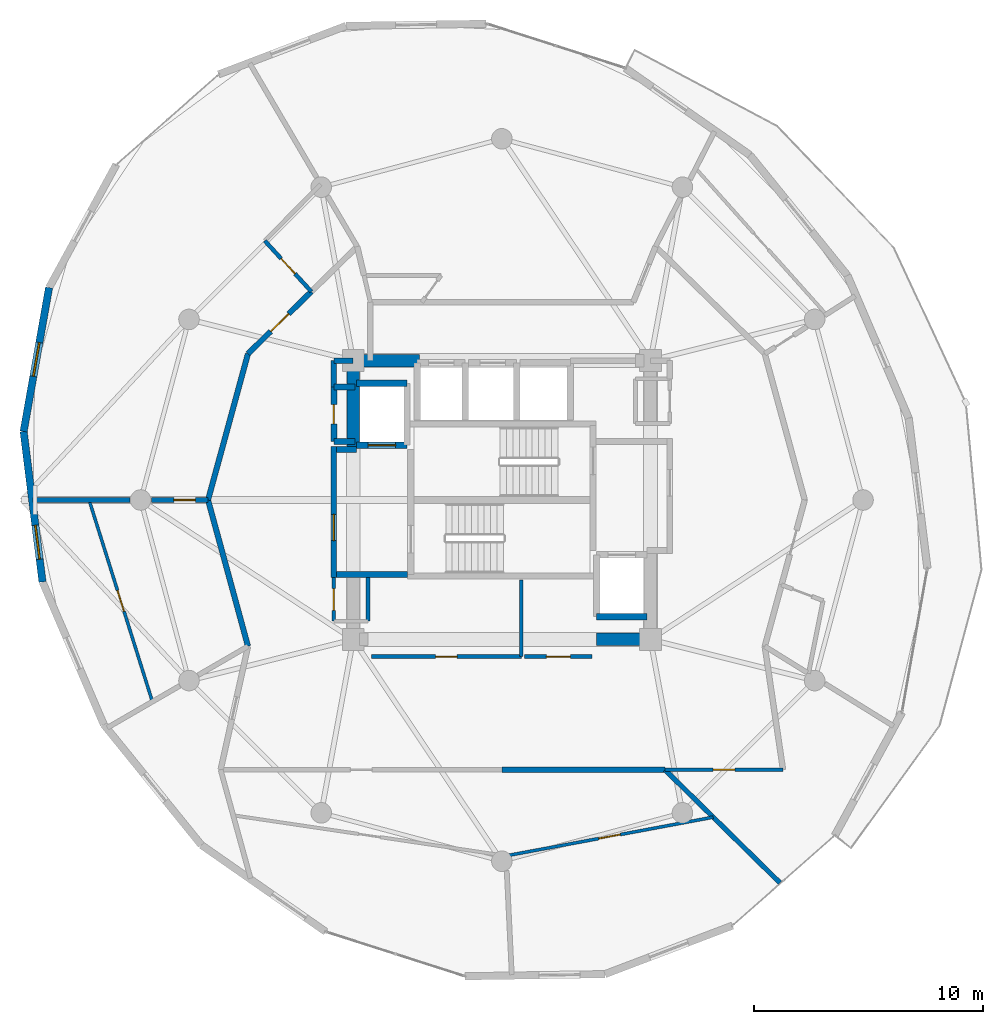
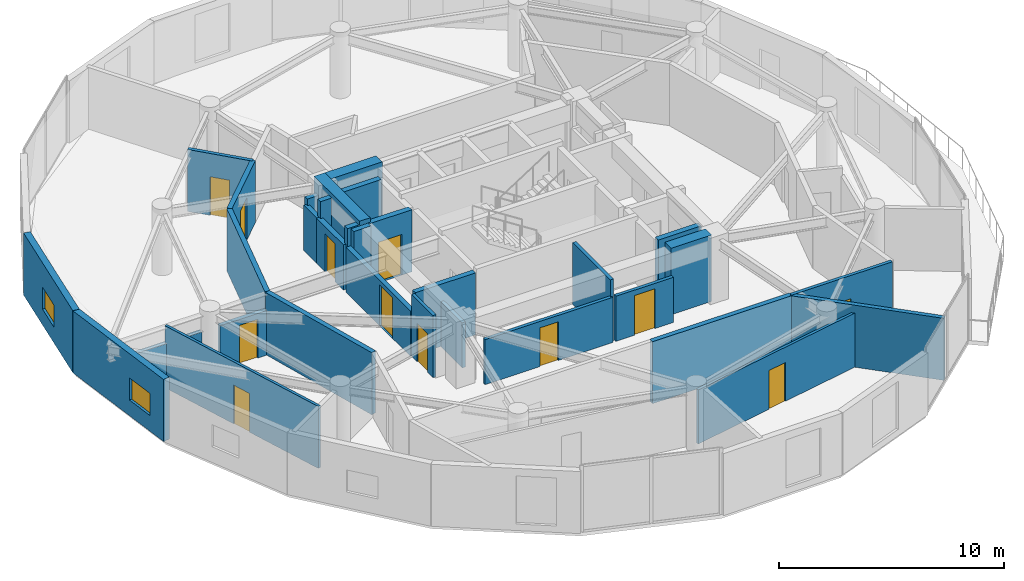
# One storey, part 13 of 18: 32 walls, 12 doors, 2 windows, 14 openings.
"""IFC4 building model written with IfcOpenShell, lengths in metres."""

from ifc_helpers import new_model, si_unit, direction, frame, frame_2d, origin, place, context, subcontext, project, spatial, rectangle, extrude, material, layer, layer_set, type_object, element, fill, save


model = new_model("IFC4")

# Units and contexts
model_context = context("Model", 3, precision=1e-05, world=origin(), true_north=direction((0.0, 1.0)))
body_context = subcontext(model_context, "Body", "Model", "MODEL_VIEW")
ifc_project = project(units=[si_unit("LENGTHUNIT", "METRE"), si_unit("AREAUNIT", "SQUARE_METRE"), si_unit("VOLUMEUNIT", "CUBIC_METRE"), si_unit("PLANEANGLEUNIT", "RADIAN"), si_unit("MASSUNIT", "GRAM", prefix="KILO")], contexts=[model_context])

# Site, building, storey
site_placement = place(None, origin())
site = spatial("IfcSite", under=ifc_project, at=site_placement, CompositionType="ELEMENT")
building_placement = place(site_placement, origin())
building = spatial("IfcBuilding", under=site, at=building_placement, Name="Solvirekh Grand Hotel", CompositionType="ELEMENT")
storey_placement = place(building_placement, frame((0.0, 0.0, 187.60009765625)))
storey = spatial("IfcBuildingStorey", under=building, at=storey_placement, Name="L48", CompositionType="ELEMENT", Elevation=187.60009765625)

# Wall, opening, door
ifc_material_1 = material(Name="Concrete C40/50", Category="concrete")
ifc_layer_1 = layer(ifc_material_1, 0.280029296875)
ifc_layer_set_1 = layer_set([ifc_layer_1], Name="Concrete C40/50")
wall_type_1 = type_object("IfcWallType", Name="CoreShaftWall_RC280", PredefinedType="SOLIDWALL", material=ifc_layer_set_1)
wall_1_placement = place(storey_placement, frame((-6.35009765625, 2.39990234375, 0.0), z_axis=(0.0, 0.0, 1.0), x_axis=(1.0, 0.0, 0.0)))
wall_1 = element("IfcWall", 1, at=wall_1_placement, inside=storey, type_object=wall_type_1, Name="L48 FL-1 hoistway S wall", PredefinedType="SOLIDWALL", context=body_context, shape_type="SweptSolid", body=[
    extrude(rectangle(XDim=2.2001953125, YDim=0.280029296875, at=frame_2d((1.10009765625, 0.0))), origin(), (0.0, 0.0, 1.0), 3.35986328125),
])
opening_1_placement = place(wall_1_placement, frame((0.5, 0.0, 0.0)))
opening_1 = element("IfcOpeningElement", 2, at=opening_1_placement, cuts=wall_1, Name="Opening LD02", PredefinedType="OPENING", context=body_context, shape_type="SweptSolid", body=[
    extrude(rectangle(XDim=1.199951171875, YDim=2.199951171875, at=frame_2d((0.60009765625, 1.10009765625))), frame((0.0, 0.14990234375, 0.0), z_axis=(0.0, -1.0, 0.0), x_axis=(1.0, 0.0, 0.0)), (0.0, 0.0, 1.0), 0.300048828125),
])
ifc_material_2 = material(Name="Fire-Rated Steel Door Assembly", Category="steel")
door_type_1 = type_object("IfcDoorType", Name="Door_LiftFF_1200X2200", OperationType="SLIDING_TO_LEFT", PredefinedType="DOOR", material=ifc_material_2)
door_1_placement = place(opening_1_placement, origin())
door_1 = element("IfcDoor", 3, at=door_1_placement, inside=storey, type_object=door_type_1, Name="L48 FL-1 sliding lift landing door", OperationType="SLIDING_TO_LEFT", OverallHeight=2.199951171875, OverallWidth=1.199951171875, PredefinedType="DOOR", context=body_context, shape_type="SweptSolid", body=[
    extrude(rectangle(XDim=1.199951171875, YDim=2.199951171875, at=frame_2d((0.60009765625, 1.10009765625))), frame((0.0, 0.02490234375, 0.0), z_axis=(0.0, -1.0, 0.0), x_axis=(1.0, 0.0, 0.0)), (0.0, 0.0, 1.0), 0.050048828125),
])
fill(opening_1, door_1)

# Walls
for number, where, z_axis, x_axis, name in (
    (4, (-4.14990234375, 5.10009765625, 0.0), (0.0, 0.0, 1.0), (-1.0, 0.0, 0.0), "L48 FL-1 hoistway N wall"),
    (5, (4.14990234375, -5.10009765625, 0.0), (0.0, 0.0, 1.0), (1.0, 0.0, 0.0), "L48 FL-2 hoistway S wall"),
):
    element("IfcWall", number, at=place(storey_placement, frame(where, z_axis=z_axis, x_axis=x_axis)), inside=storey, type_object=wall_type_1, Name=name, PredefinedType="SOLIDWALL", context=body_context, shape_type="SweptSolid", body=[
        extrude(rectangle(XDim=2.2001953125, YDim=0.280029296875, at=frame_2d((1.10009765625, 0.0))), origin(), (0.0, 0.0, 1.0), 3.35986328125),
    ])
ifc_material_3 = material(Name="Concrete C50/60", Category="concrete")
ifc_layer_2 = layer(ifc_material_3, 0.550048828125)
ifc_layer_set_2 = layer_set([ifc_layer_2], Name="Concrete C50/60")
wall_type_2 = type_object("IfcWallType", Name="CoreWall_RC550", PredefinedType="SHEAR", material=ifc_layer_set_2)
wall_2_placement = place(storey_placement, frame((4.14990234375, -6.10009765625, 0.0), z_axis=(0.0, 0.0, 1.0), x_axis=(1.0, 0.0, 0.0)))
element("IfcWall", 6, at=wall_2_placement, inside=storey, type_object=wall_type_2, Name="L48 core corner shear wall SE-S", PredefinedType="SHEAR", context=body_context, shape_type="SweptSolid", body=[
    extrude(rectangle(XDim=2.0751953125, YDim=0.550048828125, at=frame_2d((1.03759765625, 0.0))), origin(), (0.0, 0.0, 1.0), 3.599853515625),
])
wall_3_placement = place(storey_placement, frame((-6.22509765625, 6.10009765625, 0.0), z_axis=(0.0, 0.0, 1.0), x_axis=(1.0, 0.0, 0.0)))
element("IfcWall", 7, at=wall_3_placement, inside=storey, type_object=wall_type_2, Name="L48 core corner shear wall NW-N", PredefinedType="SHEAR", context=body_context, shape_type="SweptSolid", body=[
    extrude(rectangle(XDim=2.625, YDim=0.550048828125, at=frame_2d((1.3125, 0.0))), origin(), (0.0, 0.0, 1.0), 3.599853515625),
])
wall_4_placement = place(storey_placement, frame((-6.5, 2.35009765625, 0.0), z_axis=(0.0, 0.0, 1.0), x_axis=(0.0, 1.0, 0.0)))
element("IfcWall", 8, at=wall_4_placement, inside=storey, type_object=wall_type_2, Name="L48 core corner shear wall WN-W", PredefinedType="SHEAR", context=body_context, shape_type="SweptSolid", body=[
    extrude(rectangle(XDim=4.02490234375, YDim=0.550048828125, at=frame_2d((2.012451171875, 0.0))), origin(), (0.0, 0.0, 1.0), 3.599853515625),
])

# Wall, opening, window
ifc_material_4 = material(Name="Precast concrete C45/55", Category="concrete")
ifc_layer_3 = layer(ifc_material_4, 0.320068359375)
ifc_layer_set_3 = layer_set([ifc_layer_3], Name="Precast concrete C45/55")
wall_type_3 = type_object("IfcWallType", Name="ExtLobbyWall_RC320", PredefinedType="SOLIDWALL", material=ifc_layer_set_3)
wall_5_placement = place(storey_placement, frame((-20.9169921875, 3.0, 0.0), z_axis=(0.0, 0.0, 1.0), x_axis=(0.174044717196, 0.984737750072, 0.0)))
wall_5 = element("IfcWall", 9, at=wall_5_placement, inside=storey, type_object=wall_type_3, Name="L48 cantilevered deck support wall chord 13", PredefinedType="SOLIDWALL", context=body_context, shape_type="SweptSolid", body=[
    extrude(rectangle(XDim=6.389404296875, YDim=0.320068359375, at=frame_2d((3.19482421875, 0.0))), origin(), (0.0, 0.0, 1.0), 3.35986328125),
])
opening_2_placement = place(wall_5_placement, frame((2.445068359375, 0.0, 0.85009765625)))
opening_2 = element("IfcOpeningElement", 10, at=opening_2_placement, cuts=wall_5, Name="Opening W05", PredefinedType="OPENING", context=body_context, shape_type="SweptSolid", body=[
    extrude(rectangle(XDim=1.5, YDim=1.199951171875, at=frame_2d((0.75, 0.60009765625))), frame((0.0, 0.169921875, 0.0), z_axis=(0.0, -1.0, 0.0), x_axis=(1.0, 0.0, 0.0)), (0.0, 0.0, 1.0), 0.340087890625),
])
ifc_material_5 = material(Name="Low-E Tinted Bronze Laminated Glass", Category="aluminium")
window_type = type_object("IfcWindowType", Name="Win_PlantVent_1500X1200", PartitioningType="SINGLE_PANEL", PredefinedType="WINDOW", material=ifc_material_5)
window_1_placement = place(opening_2_placement, origin())
window_1 = element("IfcWindow", 11, at=window_1_placement, inside=storey, type_object=window_type, Name="L48 bronze-framed vision ribbon window 13", OverallHeight=1.199951171875, OverallWidth=1.5, PartitioningType="SINGLE_PANEL", PredefinedType="WINDOW", context=body_context, shape_type="SweptSolid", body=[
    extrude(rectangle(XDim=1.5, YDim=1.199951171875, at=frame_2d((0.75, 0.60009765625))), frame((0.0, 0.030029296875, 0.0), z_axis=(0.0, -1.0, 0.0), x_axis=(1.0, 0.0, 0.0)), (0.0, 0.0, 1.0), 0.06005859375),
])
fill(opening_2, window_1)

wall_6_placement = place(storey_placement, frame((-20.093017578125, -3.5849609375, 0.0), z_axis=(0.0, 0.0, 1.0), x_axis=(-0.12416151274, 0.992262021219, 0.0)))
wall_6 = element("IfcWall", 12, at=wall_6_placement, inside=storey, type_object=wall_type_3, Name="L48 cantilevered deck support wall chord 14", PredefinedType="SOLIDWALL", context=body_context, shape_type="SweptSolid", body=[
    extrude(rectangle(XDim=6.63623046875, YDim=0.320068359375, at=frame_2d((3.318115234375, 0.0))), origin(), (0.0, 0.0, 1.0), 3.35986328125),
])
opening_3_placement = place(wall_6_placement, frame((1.00390625, 0.0, 0.85009765625)))
opening_3 = element("IfcOpeningElement", 13, at=opening_3_placement, cuts=wall_6, Name="Opening W05", PredefinedType="OPENING", context=body_context, shape_type="SweptSolid", body=[
    extrude(rectangle(XDim=1.5, YDim=1.199951171875, at=frame_2d((0.75, 0.60009765625))), frame((0.0, 0.169921875, 0.0), z_axis=(0.0, -1.0, 0.0), x_axis=(1.0, 0.0, 0.0)), (0.0, 0.0, 1.0), 0.340087890625),
])
window_2_placement = place(opening_3_placement, origin())
window_2 = element("IfcWindow", 14, at=window_2_placement, inside=storey, type_object=window_type, Name="L48 bronze-framed vision ribbon window 14", OverallHeight=1.199951171875, OverallWidth=1.5, PartitioningType="SINGLE_PANEL", PredefinedType="WINDOW", context=body_context, shape_type="SweptSolid", body=[
    extrude(rectangle(XDim=1.5, YDim=1.199951171875, at=frame_2d((0.75, 0.60009765625))), frame((0.0, 0.030029296875, 0.0), z_axis=(0.0, -1.0, 0.0), x_axis=(1.0, 0.0, 0.0)), (0.0, 0.0, 1.0), 0.06005859375),
])
fill(opening_3, window_2)

# Wall
ifc_material_6 = material(Name="Acoustic Gypsum Partition Assembly")
ifc_layer_4 = layer(ifc_material_6, 0.1650390625)
ifc_layer_set_4 = layer_set([ifc_layer_4], Name="Acoustic Gypsum Partition Assembly")
wall_type_4 = type_object("IfcWallType", Name="Part_BOH_165", PredefinedType="PARTITIONING", material=ifc_layer_set_4)
wall_7_placement = place(storey_placement, frame((-5.85009765625, -5.300048828125, 0.0), z_axis=(0.0, 0.0, 1.0), x_axis=(0.0, 1.0, 0.0)))
element("IfcWall", 15, at=wall_7_placement, inside=storey, type_object=wall_type_4, Name="L48 L48 Butler Service Closet wall 2", PredefinedType="PARTITIONING", context=body_context, shape_type="SweptSolid", body=[
    extrude(rectangle(XDim=1.900146484375, YDim=0.1650390625, at=frame_2d((0.9501953125, 0.0))), origin(), (0.0, 0.0, 1.0), 2.44482421875),
])

# Wall, opening, door
wall_8_placement = place(storey_placement, frame((-7.35009765625, -3.39990234375, 0.0), z_axis=(0.0, 0.0, 1.0), x_axis=(0.0, -1.0, 0.0)))
wall_8 = element("IfcWall", 16, at=wall_8_placement, inside=storey, type_object=wall_type_4, Name="L48 L48 Butler Service Closet wall 4", PredefinedType="PARTITIONING", context=body_context, shape_type="SweptSolid", body=[
    extrude(rectangle(XDim=1.900146484375, YDim=0.1650390625, at=frame_2d((0.9501953125, 0.0))), origin(), (0.0, 0.0, 1.0), 3.35986328125),
])
opening_4_placement = place(wall_8_placement, frame((0.47509765625, 0.0, 0.0)))
opening_4 = element("IfcOpeningElement", 17, at=opening_4_placement, cuts=wall_8, Name="Opening D10", PredefinedType="OPENING", context=body_context, shape_type="SweptSolid", body=[
    extrude(rectangle(XDim=0.949951171875, YDim=2.10009765625, at=frame_2d((0.47509765625, 1.050048828125))), frame((0.0, 0.092529296875, 0.0), z_axis=(0.0, -1.0, 0.0), x_axis=(1.0, 0.0, 0.0)), (0.0, 0.0, 1.0), 0.18505859375),
])
ifc_material_7 = material(Name="Anodized Bronze Aluminium 6063-T6", Category="aluminium")
door_type_2 = type_object("IfcDoorType", Name="Door_RoomInt_950X2100", OperationType="NOTDEFINED", PredefinedType="DOOR", material=ifc_material_7)
door_2_placement = place(opening_4_placement, origin())
door_2 = element("IfcDoor", 18, at=door_2_placement, inside=storey, type_object=door_type_2, Name="L48 L48 Butler Service Closet door", OperationType="SINGLE_SWING_LEFT", OverallHeight=2.10009765625, OverallWidth=0.949951171875, PredefinedType="DOOR", context=body_context, shape_type="SweptSolid", body=[
    extrude(rectangle(XDim=0.949951171875, YDim=2.10009765625, at=frame_2d((0.47509765625, 1.050048828125))), frame((0.0, 0.02490234375, 0.0), z_axis=(0.0, -1.0, 0.0), x_axis=(1.0, 0.0, 0.0)), (0.0, 0.0, 1.0), 0.050048828125),
])
fill(opening_4, door_2)

wall_9_placement = place(storey_placement, frame((-5.699951171875, -6.85009765625, 0.0), z_axis=(0.0, 0.0, 1.0), x_axis=(1.0, 0.0, 0.0)))
wall_9 = element("IfcWall", 19, at=wall_9_placement, inside=storey, type_object=wall_type_4, Name="L48 Housekeeping Linen Room wall 1", PredefinedType="PARTITIONING", context=body_context, shape_type="SweptSolid", body=[
    extrude(rectangle(XDim=6.550048828125, YDim=0.1650390625, at=frame_2d((3.27490234375, 0.0))), origin(), (0.0, 0.0, 1.0), 2.44482421875),
])
opening_5_placement = place(wall_9_placement, frame((2.800048828125, 0.0, 0.0)))
opening_5 = element("IfcOpeningElement", 20, at=opening_5_placement, cuts=wall_9, Name="Opening D10", PredefinedType="OPENING", context=body_context, shape_type="SweptSolid", body=[
    extrude(rectangle(XDim=0.949951171875, YDim=2.10009765625, at=frame_2d((0.47509765625, 1.050048828125))), frame((0.0, 0.092529296875, 0.0), z_axis=(0.0, -1.0, 0.0), x_axis=(1.0, 0.0, 0.0)), (0.0, 0.0, 1.0), 0.18505859375),
])
door_3_placement = place(opening_5_placement, origin())
door_3 = element("IfcDoor", 21, at=door_3_placement, inside=storey, type_object=door_type_2, Name="L48 Housekeeping Linen Room door", OperationType="SINGLE_SWING_LEFT", OverallHeight=2.10009765625, OverallWidth=0.949951171875, PredefinedType="DOOR", context=body_context, shape_type="SweptSolid", body=[
    extrude(rectangle(XDim=0.949951171875, YDim=2.10009765625, at=frame_2d((0.47509765625, 1.050048828125))), frame((0.0, 0.02490234375, 0.0), z_axis=(0.0, -1.0, 0.0), x_axis=(1.0, 0.0, 0.0)), (0.0, 0.0, 1.0), 0.050048828125),
])
fill(opening_5, door_3)

# Wall
wall_10_placement = place(storey_placement, frame((0.85009765625, -6.85009765625, 0.0), z_axis=(0.0, 0.0, 1.0), x_axis=(0.0, 1.0, 0.0)))
element("IfcWall", 22, at=wall_10_placement, inside=storey, type_object=wall_type_4, Name="L48 Housekeeping Linen Room wall 2", PredefinedType="PARTITIONING", context=body_context, shape_type="SweptSolid", body=[
    extrude(rectangle(XDim=3.35009765625, YDim=0.1650390625, at=frame_2d((1.675048828125, 0.0))), origin(), (0.0, 0.0, 1.0), 3.35986328125),
])

# Wall, opening, door
wall_11_placement = place(storey_placement, frame((1.0, -6.85009765625, 0.0), z_axis=(0.0, 0.0, 1.0), x_axis=(1.0, 0.0, 0.0)))
wall_11 = element("IfcWall", 23, at=wall_11_placement, inside=storey, type_object=wall_type_4, Name="L48 Chilled Water Manifold Room wall 1", PredefinedType="PARTITIONING", context=body_context, shape_type="SweptSolid", body=[
    extrude(rectangle(XDim=2.949951171875, YDim=0.1650390625, at=frame_2d((1.47509765625, 0.0))), origin(), (0.0, 0.0, 1.0), 2.44482421875),
])
opening_6_placement = place(wall_11_placement, frame((0.949951171875, 0.0, 0.0)))
opening_6 = element("IfcOpeningElement", 24, at=opening_6_placement, cuts=wall_11, Name="Opening D12", PredefinedType="OPENING", context=body_context, shape_type="SweptSolid", body=[
    extrude(rectangle(XDim=1.050048828125, YDim=2.14990234375, at=frame_2d((0.52490234375, 1.074951171875))), frame((0.0, 0.092529296875, 0.0), z_axis=(0.0, -1.0, 0.0), x_axis=(1.0, 0.0, 0.0)), (0.0, 0.0, 1.0), 0.18505859375),
])
door_type_3 = type_object("IfcDoorType", Name="Door_PlantBOH_1050X2150", OperationType="NOTDEFINED", PredefinedType="DOOR", material=ifc_material_2)
door_4_placement = place(opening_6_placement, origin())
door_4 = element("IfcDoor", 25, at=door_4_placement, inside=storey, type_object=door_type_3, Name="L48 Chilled Water Manifold Room door", OperationType="SINGLE_SWING_RIGHT", OverallHeight=2.14990234375, OverallWidth=1.050048828125, PredefinedType="DOOR", context=body_context, shape_type="SweptSolid", body=[
    extrude(rectangle(XDim=1.050048828125, YDim=2.14990234375, at=frame_2d((0.52490234375, 1.074951171875))), frame((0.0, 0.02490234375, 0.0), z_axis=(0.0, -1.0, 0.0), x_axis=(1.0, 0.0, 0.0)), (0.0, 0.0, 1.0), 0.050048828125),
])
fill(opening_6, door_4)

wall_12_placement = place(storey_placement, frame((7.134033203125, -11.800048828125, 0.0), z_axis=(0.0, 0.0, 1.0), x_axis=(1.0, 0.0, 0.0)))
wall_12 = element("IfcWall", 26, at=wall_12_placement, inside=storey, type_object=wall_type_4, Name="L48 L48 Butler Valet & Linen Steward Room entrance wall", PredefinedType="PARTITIONING", context=body_context, shape_type="SweptSolid", body=[
    extrude(rectangle(XDim=5.166015625, YDim=0.1650390625, at=frame_2d((2.5830078125, 0.0))), origin(), (0.0, 0.0, 1.0), 3.35986328125),
])
opening_7_placement = place(wall_12_placement, frame((2.10791015625, 0.0, 0.0)))
opening_7 = element("IfcOpeningElement", 27, at=opening_7_placement, cuts=wall_12, Name="Opening D10", PredefinedType="OPENING", context=body_context, shape_type="SweptSolid", body=[
    extrude(rectangle(XDim=0.949951171875, YDim=2.10009765625, at=frame_2d((0.47509765625, 1.050048828125))), frame((0.0, 0.092529296875, 0.0), z_axis=(0.0, -1.0, 0.0), x_axis=(1.0, 0.0, 0.0)), (0.0, 0.0, 1.0), 0.18505859375),
])
door_5_placement = place(opening_7_placement, origin())
door_5 = element("IfcDoor", 28, at=door_5_placement, inside=storey, type_object=door_type_2, Name="L48 L48 Butler Valet & Linen Steward Room entrance door", OperationType="SINGLE_SWING_LEFT", OverallHeight=2.10009765625, OverallWidth=0.949951171875, PredefinedType="DOOR", context=body_context, shape_type="SweptSolid", body=[
    extrude(rectangle(XDim=0.949951171875, YDim=2.10009765625, at=frame_2d((0.47509765625, 1.050048828125))), frame((0.0, 0.02490234375, 0.0), z_axis=(0.0, -1.0, 0.0), x_axis=(1.0, 0.0, 0.0)), (0.0, 0.0, 1.0), 0.050048828125),
])
fill(opening_7, door_5)

ifc_layer_5 = layer(ifc_material_6, 0.239990234375)
ifc_layer_set_5 = layer_set([ifc_layer_5], Name="Acoustic Gypsum Partition Assembly")
wall_type_5 = type_object("IfcWallType", Name="Part_Corridor_240", PredefinedType="PARTITIONING", material=ifc_layer_set_5)
wall_13_placement = place(storey_placement, frame((-7.35009765625, -3.3798828125, 0.0), z_axis=(0.0, 0.0, 1.0), x_axis=(0.0, 1.0, 0.0)))
wall_13 = element("IfcWall", 29, at=wall_13_placement, inside=storey, type_object=wall_type_5, Name="L48 west firefighting lobby smoke screen wall", PredefinedType="PARTITIONING", context=body_context, shape_type="SweptSolid", body=[
    extrude(rectangle(XDim=5.719970703125, YDim=0.239990234375, at=frame_2d((2.85986328125, 0.0))), origin(), (0.0, 0.0, 1.0), 2.44482421875),
])
opening_8_placement = place(wall_13_placement, frame((1.59912109375, 0.0, 0.0)))
opening_8 = element("IfcOpeningElement", 30, at=opening_8_placement, cuts=wall_13, Name="Opening D06", PredefinedType="OPENING", context=body_context, shape_type="SweptSolid", body=[
    extrude(rectangle(XDim=1.14990234375, YDim=2.199951171875, at=frame_2d((0.574951171875, 1.10009765625))), frame((0.0, 0.1298828125, 0.0), z_axis=(0.0, -1.0, 0.0), x_axis=(1.0, 0.0, 0.0)), (0.0, 0.0, 1.0), 0.260009765625),
])
door_type_4 = type_object("IfcDoorType", Name="Door_FFLobby_1150X2200", OperationType="NOTDEFINED", PredefinedType="DOOR", material=ifc_material_2)
door_6_placement = place(opening_8_placement, origin())
door_6 = element("IfcDoor", 31, at=door_6_placement, inside=storey, type_object=door_type_4, Name="L48 west firefighting lobby smoke door", OperationType="SINGLE_SWING_RIGHT", OverallHeight=2.199951171875, OverallWidth=1.14990234375, PredefinedType="DOOR", context=body_context, shape_type="SweptSolid", body=[
    extrude(rectangle(XDim=1.14990234375, YDim=2.199951171875, at=frame_2d((0.574951171875, 1.10009765625))), frame((0.0, 0.02490234375, 0.0), z_axis=(0.0, -1.0, 0.0), x_axis=(1.0, 0.0, 0.0)), (0.0, 0.0, 1.0), 0.050048828125),
])
fill(opening_8, door_6)

# Walls
wall_14_placement = place(storey_placement, frame((-7.35009765625, 4.949951171875, 0.0), z_axis=(0.0, 0.0, 1.0), x_axis=(0.0, 1.0, 0.0)))
element("IfcWall", 32, at=wall_14_placement, inside=storey, type_object=wall_type_5, Name="L48 NW core cheek closure wall", PredefinedType="PARTITIONING", context=body_context, shape_type="SweptSolid", body=[
    extrude(rectangle(XDim=1.150146484375, YDim=0.239990234375, at=frame_2d((0.5751953125, 0.0))), origin(), (0.0, 0.0, 1.0), 2.44482421875),
])
wall_15_placement = place(storey_placement, frame((-7.35009765625, 6.10009765625, 0.0), z_axis=(0.0, 0.0, 1.0), x_axis=(1.0, 0.0, 0.0)))
element("IfcWall", 33, at=wall_15_placement, inside=storey, type_object=wall_type_5, Name="L48 NW core corner tie wall", PredefinedType="PARTITIONING", context=body_context, shape_type="SweptSolid", body=[
    extrude(rectangle(XDim=0.85009765625, YDim=0.239990234375, at=frame_2d((0.425048828125, 0.0))), origin(), (0.0, 0.0, 1.0), 2.80078125),
])
wall_16_placement = place(storey_placement, frame((-11.10205078125, 6.39990234375, 0.0), z_axis=(0.0, 0.0, 1.0), x_axis=(-0.263484816116, -0.96466354325, 0.0)))
element("IfcWall", 34, at=wall_16_placement, inside=storey, type_object=wall_type_5, Name="L48 Diplomatic Suite 5002 Living Room corridor wall 1", PredefinedType="PARTITIONING", context=body_context, shape_type="SweptSolid", body=[
    extrude(rectangle(XDim=6.63427734375, YDim=0.239990234375, at=frame_2d((3.317138671875, 0.0))), origin(), (0.0, 0.0, 1.0), 3.35986328125),
])

# Wall, opening, door
wall_17_placement = place(storey_placement, frame((-8.3310546875, 9.116943359375, 0.0), z_axis=(0.0, 0.0, 1.0), x_axis=(-0.714024122855, -0.700121098084, 0.0)))
wall_17 = element("IfcWall", 35, at=wall_17_placement, inside=storey, type_object=wall_type_5, Name="L48 Diplomatic Suite 5002 Living Room entrance wall", PredefinedType="PARTITIONING", context=body_context, shape_type="SweptSolid", body=[
    extrude(rectangle(XDim=3.880859375, YDim=0.239990234375, at=frame_2d((1.9404296875, 0.0))), origin(), (0.0, 0.0, 1.0), 3.35986328125),
])
opening_9_placement = place(wall_17_placement, frame((1.389892578125, 0.0, 0.0)))
opening_9 = element("IfcOpeningElement", 36, at=opening_9_placement, cuts=wall_17, Name="Opening D08", PredefinedType="OPENING", context=body_context, shape_type="SweptSolid", body=[
    extrude(rectangle(XDim=1.10009765625, YDim=2.300048828125, at=frame_2d((0.550048828125, 1.14990234375))), frame((0.0, 0.1298828125, 0.0), z_axis=(0.0, -1.0, 0.0), x_axis=(1.0, 0.0, 0.0)), (0.0, 0.0, 1.0), 0.260009765625),
])
door_type_5 = type_object("IfcDoorType", Name="Door_SuiteEntry_1100X2300", OperationType="NOTDEFINED", PredefinedType="DOOR", material=ifc_material_2)
door_7_placement = place(opening_9_placement, origin())
door_7 = element("IfcDoor", 37, at=door_7_placement, inside=storey, type_object=door_type_5, Name="L48 Diplomatic Suite 5002 Living Room entrance door", OperationType="SINGLE_SWING_RIGHT", OverallHeight=2.300048828125, OverallWidth=1.10009765625, PredefinedType="DOOR", context=body_context, shape_type="SweptSolid", body=[
    extrude(rectangle(XDim=1.10009765625, YDim=2.300048828125, at=frame_2d((0.550048828125, 1.14990234375))), frame((0.0, 0.02490234375, 0.0), z_axis=(0.0, -1.0, 0.0), x_axis=(1.0, 0.0, 0.0)), (0.0, 0.0, 1.0), 0.050048828125),
])
fill(opening_9, door_7)

# Walls
wall_18_placement = place(storey_placement, frame((-12.85009765625, 0.0, 0.0), z_axis=(0.0, 0.0, 1.0), x_axis=(0.263484816116, -0.96466354325, 0.0)))
element("IfcWall", 38, at=wall_18_placement, inside=storey, type_object=wall_type_5, Name="L48 Diplomatic Suite 5002 Suite Foyer corridor enclosure wall", PredefinedType="PARTITIONING", context=body_context, shape_type="SweptSolid", body=[
    extrude(rectangle(XDim=6.63427734375, YDim=0.239990234375, at=frame_2d((3.317138671875, 0.0))), origin(), (0.0, 0.0, 1.0), 3.35986328125),
])
wall_19_placement = place(storey_placement, frame((0.0, -11.800048828125, 0.0), z_axis=(0.0, 0.0, 1.0), x_axis=(1.0, 0.0, 0.0)))
element("IfcWall", 39, at=wall_19_placement, inside=storey, type_object=wall_type_5, Name="L48 L48 Imperial Tea Lounge corridor wall 1", PredefinedType="PARTITIONING", context=body_context, shape_type="SweptSolid", body=[
    extrude(rectangle(XDim=7.134033203125, YDim=0.239990234375, at=frame_2d((3.56689453125, 0.0))), origin(), (0.0, 0.0, 1.0), 3.35986328125),
])
ifc_layer_6 = layer(ifc_material_6, 0.260009765625)
ifc_layer_set_6 = layer_set([ifc_layer_6], Name="Acoustic Gypsum Partition Assembly")
wall_type_6 = type_object("IfcWallType", Name="Part_LobbyFF_260", PredefinedType="PARTITIONING", material=ifc_layer_set_6)
wall_20_placement = place(storey_placement, frame((-7.22509765625, -3.25, 0.0), z_axis=(0.0, 0.0, 1.0), x_axis=(1.0, 0.0, 0.0)))
element("IfcWall", 40, at=wall_20_placement, inside=storey, type_object=wall_type_6, Name="L48 west firefighting lobby south partition", PredefinedType="PARTITIONING", context=body_context, shape_type="SweptSolid", body=[
    extrude(rectangle(XDim=3.09521484375, YDim=0.260009765625, at=frame_2d((1.547607421875, 0.0))), origin(), (0.0, 0.0, 1.0), 3.35986328125),
])
wall_21_placement = place(storey_placement, frame((-7.22509765625, 2.2099609375, 0.0), z_axis=(0.0, 0.0, 1.0), x_axis=(1.0, 0.0, 0.0)))
element("IfcWall", 41, at=wall_21_placement, inside=storey, type_object=wall_type_6, Name="L48 west firefighting lobby NW cheek", PredefinedType="PARTITIONING", context=body_context, shape_type="SweptSolid", body=[
    extrude(rectangle(XDim=0.875, YDim=0.260009765625, at=frame_2d((0.4375, 0.0))), origin(), (0.0, 0.0, 1.0), 3.35986328125),
])
for number, where, z_axis, x_axis, name in (
    (42, (-7.35009765625, 4.949951171875, 0.0), (0.0, 0.0, 1.0), (1.0, 0.0, 0.0), "L48 NW telecom metering cupboard north wall"),
    (43, (-7.35009765625, 2.550048828125, 0.0), (0.0, 0.0, 1.0), (1.0, 0.0, 0.0), "L48 NW telecom metering cupboard south wall"),
):
    element("IfcWall", number, at=place(storey_placement, frame(where, z_axis=z_axis, x_axis=x_axis)), inside=storey, type_object=wall_type_6, Name=name, PredefinedType="PARTITIONING", context=body_context, shape_type="SweptSolid", body=[
        extrude(rectangle(XDim=0.93017578125, YDim=0.260009765625, at=frame_2d((0.465087890625, 0.0))), origin(), (0.0, 0.0, 1.0), 3.35986328125),
    ])

# Wall, opening, door
wall_22_placement = place(storey_placement, frame((-7.35009765625, 2.550048828125, 0.0), z_axis=(0.0, 0.0, 1.0), x_axis=(0.0, 1.0, 0.0)))
wall_22 = element("IfcWall", 44, at=wall_22_placement, inside=storey, type_object=wall_type_6, Name="L48 NW telecom metering cupboard access wall", PredefinedType="PARTITIONING", context=body_context, shape_type="SweptSolid", body=[
    extrude(rectangle(XDim=2.39990234375, YDim=0.260009765625, at=frame_2d((1.199951171875, 0.0))), origin(), (0.0, 0.0, 1.0), 2.44482421875),
])
opening_10_placement = place(wall_22_placement, frame((0.77490234375, 0.0, 0.0)))
opening_10 = element("IfcOpeningElement", 45, at=opening_10_placement, cuts=wall_22, Name="Opening D13", PredefinedType="OPENING", context=body_context, shape_type="SweptSolid", body=[
    extrude(rectangle(XDim=0.85009765625, YDim=2.050048828125, at=frame_2d((0.425048828125, 1.02490234375))), frame((0.0, 0.14013671875, 0.0), z_axis=(0.0, -1.0, 0.0), x_axis=(1.0, 0.0, 0.0)), (0.0, 0.0, 1.0), 0.280029296875),
])
door_type_6 = type_object("IfcDoorType", Name="Door_RiserShaft_850X2050", OperationType="NOTDEFINED", PredefinedType="DOOR", material=ifc_material_2)
door_8_placement = place(opening_10_placement, origin())
door_8 = element("IfcDoor", 46, at=door_8_placement, inside=storey, type_object=door_type_6, Name="L48 telecom metering cupboard access door", OperationType="SINGLE_SWING_RIGHT", OverallHeight=2.050048828125, OverallWidth=0.85009765625, PredefinedType="DOOR", context=body_context, shape_type="SweptSolid", body=[
    extrude(rectangle(XDim=0.85009765625, YDim=2.050048828125, at=frame_2d((0.425048828125, 1.02490234375))), frame((0.0, 0.02490234375, 0.0), z_axis=(0.0, -1.0, 0.0), x_axis=(1.0, 0.0, 0.0)), (0.0, 0.0, 1.0), 0.050048828125),
])
fill(opening_10, door_8)

ifc_layer_7 = layer(ifc_material_6, 0.135009765625)
ifc_layer_set_7 = layer_set([ifc_layer_7], Name="Acoustic Gypsum Partition Assembly")
wall_type_7 = type_object("IfcWallType", Name="Part_RoomInt_135", PredefinedType="PARTITIONING", material=ifc_layer_set_7)
wall_23_placement = place(storey_placement, frame((-18.052978515625, 0.0, 0.0), z_axis=(0.0, 0.0, 1.0), x_axis=(0.299503167855, -0.954095305745, 0.0)))
wall_23 = element("IfcWall", 47, at=wall_23_placement, inside=storey, type_object=wall_type_7, Name="L48 Diplomatic Suite 5002 Suite Foyer bedroom screen wall", PredefinedType="PARTITIONING", context=body_context, shape_type="SweptSolid", body=[
    extrude(rectangle(XDim=9.245361328125, YDim=0.135009765625, at=frame_2d((4.62255859375, 0.0))), origin(), (0.0, 0.0, 1.0), 3.35986328125),
])
opening_11_placement = place(wall_23_placement, frame((4.14794921875, 0.0, 0.0)))
opening_11 = element("IfcOpeningElement", 48, at=opening_11_placement, cuts=wall_23, Name="Opening D10", PredefinedType="OPENING", context=body_context, shape_type="SweptSolid", body=[
    extrude(rectangle(XDim=0.949951171875, YDim=2.10009765625, at=frame_2d((0.47509765625, 1.050048828125))), frame((0.0, 0.07763671875, 0.0), z_axis=(0.0, -1.0, 0.0), x_axis=(1.0, 0.0, 0.0)), (0.0, 0.0, 1.0), 0.155029296875),
])
door_9_placement = place(opening_11_placement, origin())
door_9 = element("IfcDoor", 49, at=door_9_placement, inside=storey, type_object=door_type_2, Name="L48 Diplomatic Suite 5002 Suite Foyer master bedroom door", OperationType="SINGLE_SWING_RIGHT", OverallHeight=2.10009765625, OverallWidth=0.949951171875, PredefinedType="DOOR", context=body_context, shape_type="SweptSolid", body=[
    extrude(rectangle(XDim=0.949951171875, YDim=2.10009765625, at=frame_2d((0.47509765625, 1.050048828125))), frame((0.0, 0.02490234375, 0.0), z_axis=(0.0, -1.0, 0.0), x_axis=(1.0, 0.0, 0.0)), (0.0, 0.0, 1.0), 0.050048828125),
])
fill(opening_11, door_9)

wall_24_placement = place(storey_placement, frame((0.18310546875, -15.56494140625, 0.0), z_axis=(0.0, 0.0, 1.0), x_axis=(0.983055769837, 0.183306719434, 0.0)))
wall_24 = element("IfcWall", 50, at=wall_24_placement, inside=storey, type_object=wall_type_7, Name="L48 L48 Riverfront Tea Belvedere bedroom screen wall", PredefinedType="PARTITIONING", context=body_context, shape_type="SweptSolid", body=[
    extrude(rectangle(XDim=9.21923828125, YDim=0.135009765625, at=frame_2d((4.609619140625, 0.0))), origin(), (0.0, 0.0, 1.0), 2.928955078125),
])
opening_12_placement = place(wall_24_placement, frame((4.135009765625, 0.0, 0.0)))
opening_12 = element("IfcOpeningElement", 51, at=opening_12_placement, cuts=wall_24, Name="Opening D10", PredefinedType="OPENING", context=body_context, shape_type="SweptSolid", body=[
    extrude(rectangle(XDim=0.949951171875, YDim=2.10009765625, at=frame_2d((0.47509765625, 1.050048828125))), frame((0.0, 0.07763671875, 0.0), z_axis=(0.0, -1.0, 0.0), x_axis=(1.0, 0.0, 0.0)), (0.0, 0.0, 1.0), 0.155029296875),
])
door_10_placement = place(opening_12_placement, origin())
door_10 = element("IfcDoor", 52, at=door_10_placement, inside=storey, type_object=door_type_2, Name="L48 L48 Riverfront Tea Belvedere master bedroom door", OperationType="SINGLE_SWING_RIGHT", OverallHeight=2.10009765625, OverallWidth=0.949951171875, PredefinedType="DOOR", context=body_context, shape_type="SweptSolid", body=[
    extrude(rectangle(XDim=0.949951171875, YDim=2.10009765625, at=frame_2d((0.47509765625, 1.050048828125))), frame((0.0, 0.02490234375, 0.0), z_axis=(0.0, -1.0, 0.0), x_axis=(1.0, 0.0, 0.0)), (0.0, 0.0, 1.0), 0.050048828125),
])
fill(opening_12, door_10)

ifc_layer_8 = layer(ifc_material_6, 0.2099609375)
ifc_layer_set_8 = layer_set([ifc_layer_8], Name="Acoustic Gypsum Partition Assembly")
wall_type_8 = type_object("IfcWallType", Name="Part_SuiteDemise_210", PredefinedType="PARTITIONING", material=ifc_layer_set_8)
wall_25_placement = place(storey_placement, frame((-12.85009765625, 0.0, 0.0), z_axis=(0.0, 0.0, 1.0), x_axis=(-1.0, 0.0, 0.0)))
wall_25 = element("IfcWall", 53, at=wall_25_placement, inside=storey, type_object=wall_type_8, Name="L48 suite radial wall 7 (A)", PredefinedType="PARTITIONING", context=body_context, shape_type="SweptSolid", body=[
    extrude(rectangle(XDim=2.47998046875, YDim=0.2099609375, at=frame_2d((1.239990234375, 0.0))), origin(), (0.0, 0.0, 1.0), 2.4189453125),
])
opening_13_placement = place(wall_25_placement, frame((0.550048828125, 0.0, 0.0)))
opening_13 = element("IfcOpeningElement", 54, at=opening_13_placement, cuts=wall_25, Name="Opening D10", PredefinedType="OPENING", context=body_context, shape_type="SweptSolid", body=[
    extrude(rectangle(XDim=0.949951171875, YDim=2.10009765625, at=frame_2d((0.47509765625, 1.050048828125))), frame((0.0, 0.114990234375, 0.0), z_axis=(0.0, -1.0, 0.0), x_axis=(1.0, 0.0, 0.0)), (0.0, 0.0, 1.0), 0.22998046875),
])
door_11_placement = place(opening_13_placement, origin())
door_11 = element("IfcDoor", 55, at=door_11_placement, inside=storey, type_object=door_type_2, Name="L48 Diplomatic Suite 5002 Suite Foyer suite connecting door", OperationType="SINGLE_SWING_LEFT", OverallHeight=2.10009765625, OverallWidth=0.949951171875, PredefinedType="DOOR", context=body_context, shape_type="SweptSolid", body=[
    extrude(rectangle(XDim=0.949951171875, YDim=2.10009765625, at=frame_2d((0.47509765625, 1.050048828125))), frame((0.0, 0.02490234375, 0.0), z_axis=(0.0, -1.0, 0.0), x_axis=(1.0, 0.0, 0.0)), (0.0, 0.0, 1.0), 0.050048828125),
])
fill(opening_13, door_11)

# Walls
wall_26_placement = place(storey_placement, frame((-16.27001953125, 0.0, 0.0), z_axis=(0.0, 0.0, 1.0), x_axis=(-1.0, 0.0, 0.0)))
element("IfcWall", 56, at=wall_26_placement, inside=storey, type_object=wall_type_8, Name="L48 suite radial wall 7 (B)", PredefinedType="PARTITIONING", context=body_context, shape_type="SweptSolid", body=[
    extrude(rectangle(XDim=4.23193359375, YDim=0.2099609375, at=frame_2d((2.115966796875, 0.0))), origin(), (0.0, 0.0, 1.0), 2.4189453125),
])
wall_27_placement = place(storey_placement, frame((7.134033203125, -11.800048828125, 0.0), z_axis=(0.0, 0.0, 1.0), x_axis=(0.713329749674, -0.700828558372, 0.0)))
element("IfcWall", 57, at=wall_27_placement, inside=storey, type_object=wall_type_8, Name="L48 L48 Imperial Tea Lounge dividing partition 1", PredefinedType="PARTITIONING", context=body_context, shape_type="SweptSolid", body=[
    extrude(rectangle(XDim=7.050048828125, YDim=0.2099609375, at=frame_2d((3.52490234375, 0.0))), origin(), (0.0, 0.0, 1.0), 3.35986328125),
])

# Wall, opening, door
ifc_layer_9 = layer(ifc_material_6, 0.175048828125)
ifc_layer_set_9 = layer_set([ifc_layer_9], Name="Acoustic Gypsum Partition Assembly")
wall_type_9 = type_object("IfcWallType", Name="Plumb_Ensuite_175", PredefinedType="PLUMBINGWALL", material=ifc_layer_set_9)
wall_28_placement = place(storey_placement, frame((-8.3310546875, 9.116943359375, 0.0), z_axis=(0.0, 0.0, 1.0), x_axis=(-0.675717296863, 0.737160860817, 0.0)))
wall_28 = element("IfcWall", 58, at=wall_28_placement, inside=storey, type_object=wall_type_9, Name="L48 En-suite Bathroom 5002 entry plumbing wall", PredefinedType="PLUMBINGWALL", context=body_context, shape_type="SweptSolid", body=[
    extrude(rectangle(XDim=3.015869140625, YDim=0.175048828125, at=frame_2d((1.5078125, 0.0))), origin(), (0.0, 0.0, 1.0), 3.35986328125),
])
opening_14_placement = place(wall_28_placement, frame((1.05810546875, 0.0, 0.0)))
opening_14 = element("IfcOpeningElement", 59, at=opening_14_placement, cuts=wall_28, Name="Opening D09", PredefinedType="OPENING", context=body_context, shape_type="SweptSolid", body=[
    extrude(rectangle(XDim=0.89990234375, YDim=2.10009765625, at=frame_2d((0.449951171875, 1.050048828125))), frame((0.0, 0.09765625, 0.0), z_axis=(0.0, -1.0, 0.0), x_axis=(1.0, 0.0, 0.0)), (0.0, 0.0, 1.0), 0.195068359375),
])
door_type_7 = type_object("IfcDoorType", Name="Door_Ensuite_900X2100", OperationType="NOTDEFINED", PredefinedType="DOOR", material=ifc_material_7)
door_12_placement = place(opening_14_placement, origin())
door_12 = element("IfcDoor", 60, at=door_12_placement, inside=storey, type_object=door_type_7, Name="L48 En-suite Bathroom 5002 door", OperationType="SINGLE_SWING_LEFT", OverallHeight=2.10009765625, OverallWidth=0.89990234375, PredefinedType="DOOR", context=body_context, shape_type="SweptSolid", body=[
    extrude(rectangle(XDim=0.89990234375, YDim=2.10009765625, at=frame_2d((0.449951171875, 1.050048828125))), frame((0.0, 0.02490234375, 0.0), z_axis=(0.0, -1.0, 0.0), x_axis=(1.0, 0.0, 0.0)), (0.0, 0.0, 1.0), 0.050048828125),
])
fill(opening_14, door_12)

save(model, "model.ifc")
